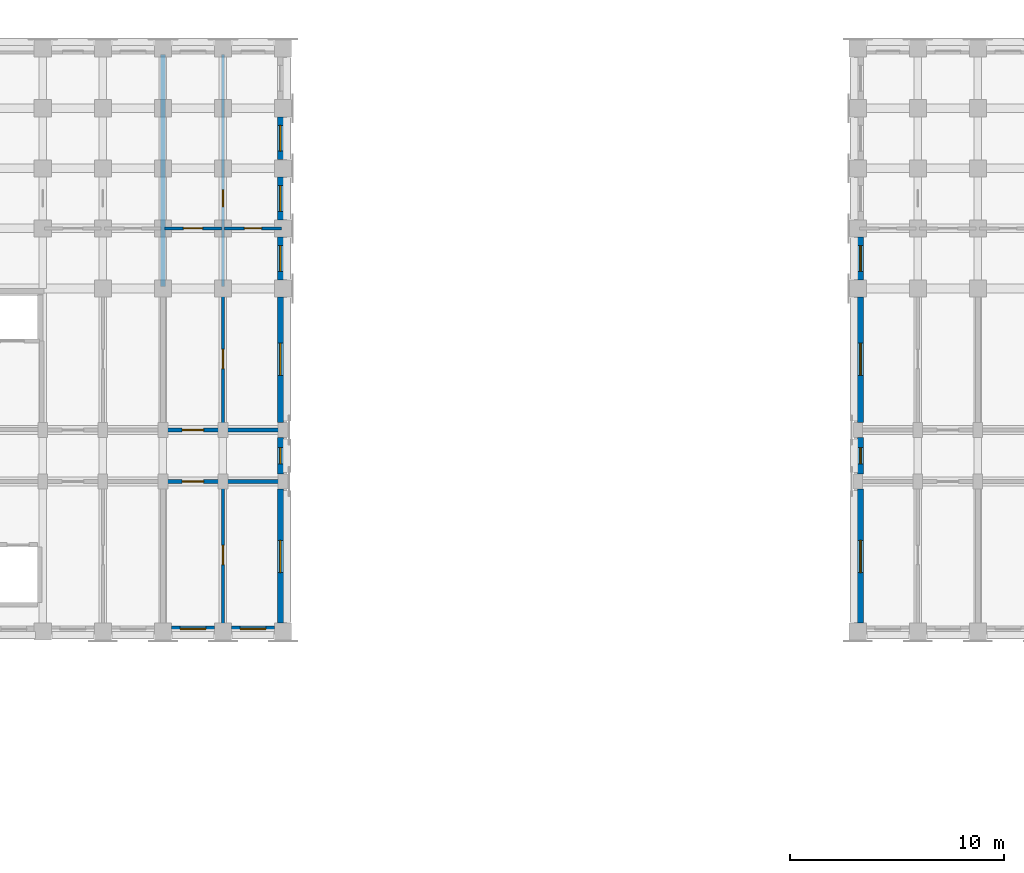
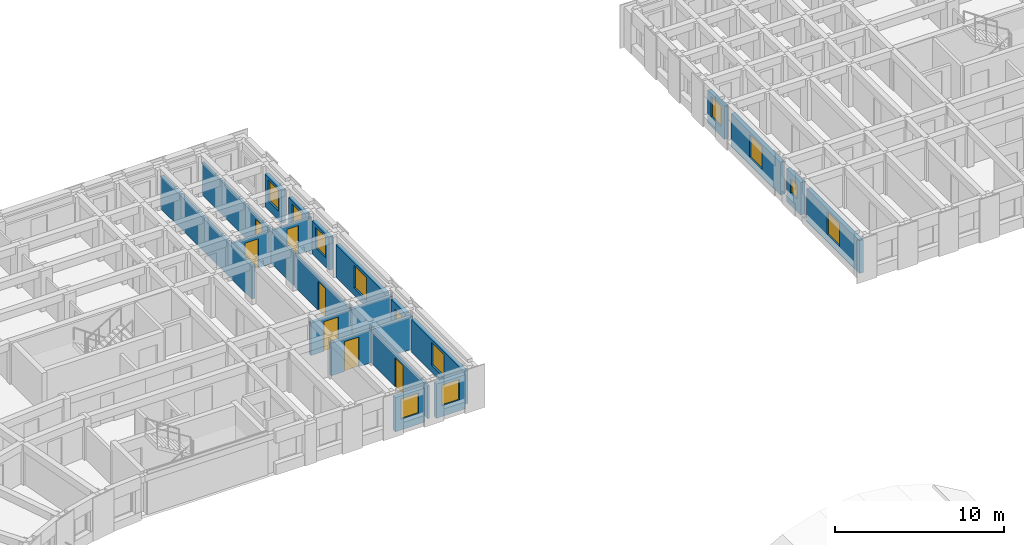
# One storey, part 27 of 54: 22 walls, 12 windows, 7 doors, 19 openings.
"""IFC4 building model written with IfcOpenShell, lengths in metres."""

from ifc_helpers import new_model, si_unit, direction, frame, frame_2d, origin, place, context, subcontext, project, spatial, rectangle, extrude, material, layer, layer_set, type_object, element, fill, save


model = new_model("IFC4")

# Units and contexts
model_context = context("Model", 3, precision=1e-05, world=origin(), true_north=direction((0.0, 1.0)))
body_context = subcontext(model_context, "Body", "Model", "MODEL_VIEW")
ifc_project = project(units=[si_unit("LENGTHUNIT", "METRE"), si_unit("AREAUNIT", "SQUARE_METRE"), si_unit("VOLUMEUNIT", "CUBIC_METRE"), si_unit("PLANEANGLEUNIT", "RADIAN"), si_unit("MASSUNIT", "GRAM", prefix="KILO")], contexts=[model_context])

# Site, building, storey
site_placement = place(None, origin())
site = spatial("IfcSite", under=ifc_project, at=site_placement, CompositionType="ELEMENT")
building_placement = place(site_placement, origin())
building = spatial("IfcBuilding", under=site, at=building_placement, Name="Kiranvali Square Residences", CompositionType="ELEMENT")
storey_placement = place(building_placement, frame((0.0, 0.0, 15.0)))
storey = spatial("IfcBuildingStorey", under=building, at=storey_placement, Name="L04", CompositionType="ELEMENT", Elevation=15.0)

# Wall, opening, door
ifc_material_1 = material(Name="Autoclaved aerated concrete blockwork masonry", Category="masonry")
ifc_layer_1 = layer(ifc_material_1, 0.199951171875)
ifc_layer_set_1 = layer_set([ifc_layer_1], Name="Autoclaved aerated concrete blockwork masonry")
wall_type_1 = type_object("IfcWallType", Name="WL-COR-200", PredefinedType="STANDARD", material=ifc_layer_set_1)
wall_1_placement = place(storey_placement, frame((65.0, 113.60009765625, 0.0), z_axis=(0.0, 0.0, 1.0), x_axis=(1.0, 0.0, 0.0)))
wall_1 = element("IfcWall", 1, at=wall_1_placement, inside=storey, type_object=wall_type_1, Name="L04 architectural wall WL-L04-A-A1CI-2", PredefinedType="STANDARD", context=body_context, shape_type="SweptSolid", body=[
    extrude(rectangle(XDim=2.800048828125, YDim=0.199951171875, at=frame_2d((1.39990234375, 0.0))), origin(), (0.0, 0.0, 1.0), 2.3720703125),
])
opening_1_placement = place(wall_1_placement, frame((0.89990234375, 0.0, 0.0)))
opening_1 = element("IfcOpeningElement", 2, at=opening_1_placement, cuts=wall_1, Name="Opening FD-APT-60", PredefinedType="OPENING", context=body_context, shape_type="SweptSolid", body=[
    extrude(rectangle(XDim=1.0, YDim=2.14990234375, at=frame_2d((0.5, 1.074951171875))), frame((0.0, 0.10986328125, 0.0), z_axis=(0.0, -1.0, 0.0), x_axis=(1.0, 0.0, 0.0)), (0.0, 0.0, 1.0), 0.219970703125),
])
ifc_material_2 = material(Name="Fire-rated acoustic hardwood and mineral-core door assembly", Category="wood")
door_type_1 = type_object("IfcDoorType", Name="DR-APT-1000", OperationType="NOTDEFINED", PredefinedType="DOOR", material=ifc_material_2)
door_1_placement = place(opening_1_placement, origin())
door_1 = element("IfcDoor", 3, at=door_1_placement, inside=storey, type_object=door_type_1, Name="L04 door DR-L04-0291 (DR-APT-1000)", OperationType="SINGLE_SWING_LEFT", OverallHeight=2.14990234375, OverallWidth=1.0, PredefinedType="DOOR", context=body_context, shape_type="SweptSolid", body=[
    extrude(rectangle(XDim=1.0, YDim=2.14990234375, at=frame_2d((0.5, 1.074951171875))), frame((0.0, 0.02490234375, 0.0), z_axis=(0.0, -1.0, 0.0), x_axis=(1.0, 0.0, 0.0)), (0.0, 0.0, 1.0), 0.050048828125),
])
fill(opening_1, door_1)

wall_2_placement = place(storey_placement, frame((65.0, 116.0, 0.0), z_axis=(0.0, 0.0, 1.0), x_axis=(1.0, 0.0, 0.0)))
wall_2 = element("IfcWall", 4, at=wall_2_placement, inside=storey, type_object=wall_type_1, Name="L04 architectural wall WL-L04-A-A1CO-2", PredefinedType="STANDARD", context=body_context, shape_type="SweptSolid", body=[
    extrude(rectangle(XDim=2.800048828125, YDim=0.199951171875, at=frame_2d((1.39990234375, 0.0))), origin(), (0.0, 0.0, 1.0), 2.3720703125),
])
opening_2_placement = place(wall_2_placement, frame((0.89990234375, 0.0, 0.0)))
opening_2 = element("IfcOpeningElement", 5, at=opening_2_placement, cuts=wall_2, Name="Opening FD-APT-60", PredefinedType="OPENING", context=body_context, shape_type="SweptSolid", body=[
    extrude(rectangle(XDim=1.0, YDim=2.14990234375, at=frame_2d((0.5, 1.074951171875))), frame((0.0, 0.10986328125, 0.0), z_axis=(0.0, -1.0, 0.0), x_axis=(1.0, 0.0, 0.0)), (0.0, 0.0, 1.0), 0.219970703125),
])
door_2_placement = place(opening_2_placement, origin())
door_2 = element("IfcDoor", 6, at=door_2_placement, inside=storey, type_object=door_type_1, Name="L04 door DR-L04-0293 (DR-APT-1000)", OperationType="SINGLE_SWING_LEFT", OverallHeight=2.14990234375, OverallWidth=1.0, PredefinedType="DOOR", context=body_context, shape_type="SweptSolid", body=[
    extrude(rectangle(XDim=1.0, YDim=2.14990234375, at=frame_2d((0.5, 1.074951171875))), frame((0.0, 0.02490234375, 0.0), z_axis=(0.0, -1.0, 0.0), x_axis=(1.0, 0.0, 0.0)), (0.0, 0.0, 1.0), 0.050048828125),
])
fill(opening_2, door_2)

# Walls
for number, where, z_axis, x_axis, name in (
    (7, (67.800048828125, 113.60009765625, 0.0), (0.0, 0.0, 1.0), (1.0, 0.0, 0.0), "L04 architectural wall WL-L04-A-A1CI-3"),
    (8, (67.800048828125, 116.0, 0.0), (0.0, 0.0, 1.0), (1.0, 0.0, 0.0), "L04 architectural wall WL-L04-A-A1CO-3"),
):
    element("IfcWall", number, at=place(storey_placement, frame(where, z_axis=z_axis, x_axis=x_axis)), inside=storey, type_object=wall_type_1, Name=name, PredefinedType="STANDARD", context=body_context, shape_type="SweptSolid", body=[
        extrude(rectangle(XDim=2.800048828125, YDim=0.199951171875, at=frame_2d((1.39990234375, 0.0))), origin(), (0.0, 0.0, 1.0), 2.3720703125),
    ])
ifc_layer_2 = layer(ifc_material_1, 0.219970703125)
ifc_layer_set_2 = layer_set([ifc_layer_2], Name="Autoclaved aerated concrete blockwork masonry")
wall_type_2 = type_object("IfcWallType", Name="WL-DEM-220", PredefinedType="STANDARD", material=ifc_layer_set_2)
wall_3_placement = place(storey_placement, frame((65.0, 122.699951171875, 0.0), z_axis=(0.0, 0.0, 1.0), x_axis=(0.0, 1.0, 0.0)))
element("IfcWall", 9, at=wall_3_placement, inside=storey, type_object=wall_type_2, Name="L04 architectural wall WL-L04-A-A1TO2-2", PredefinedType="STANDARD", context=body_context, shape_type="SweptSolid", body=[
    extrude(rectangle(XDim=10.820068359375, YDim=0.219970703125, at=frame_2d((5.41015625, 0.0))), origin(), (0.0, 0.0, 1.0), 2.3720703125),
])

# Wall, opening, window
ifc_material_3 = material(Name="Breathable lime-rendered clay brick masonry", Category="masonry")
ifc_layer_3 = layer(ifc_material_3, 0.27490234375)
ifc_layer_set_3 = layer_set([ifc_layer_3], Name="Breathable lime-rendered clay brick masonry")
wall_type_3 = type_object("IfcWallType", Name="WL-EXT-275", PredefinedType="STANDARD", material=ifc_layer_set_3)
wall_4_placement = place(storey_placement, frame((65.403564453125, 106.72509765625, 0.0), z_axis=(0.0, 0.0, 1.0), x_axis=(1.0, 0.0, 0.0)))
wall_4 = element("IfcWall", 10, at=wall_4_placement, inside=storey, type_object=wall_type_3, Name="L04 exterior wall A-L04-A1I-2", PredefinedType="STANDARD", context=body_context, shape_type="SweptSolid", body=[
    extrude(rectangle(XDim=1.992919921875, YDim=0.27490234375, at=frame_2d((0.99658203125, 0.0))), origin(), (0.0, 0.0, 1.0), 2.471923828125),
])
opening_3_placement = place(wall_4_placement, frame((0.396484375, 0.0, 0.77197265625)))
opening_3 = element("IfcOpeningElement", 11, at=opening_3_placement, cuts=wall_4, Name="Opening W-06", PredefinedType="OPENING", context=body_context, shape_type="SweptSolid", body=[
    extrude(rectangle(XDim=1.199951171875, YDim=1.5, at=frame_2d((0.60009765625, 0.75))), frame((0.0, 0.1474609375, 0.0), z_axis=(0.0, -1.0, 0.0), x_axis=(1.0, 0.0, 0.0)), (0.0, 0.0, 1.0), 0.294921875),
])
ifc_material_4 = material(Name="Solar-control low-e double glazing", Category="glass")
window_type_1 = type_object("IfcWindowType", Name="WIN-RES-1200x1500", PartitioningType="SINGLE_PANEL", PredefinedType="WINDOW", material=ifc_material_4)
window_1_placement = place(opening_3_placement, origin())
window_1 = element("IfcWindow", 12, at=window_1_placement, inside=storey, type_object=window_type_1, Name="L04 recessed window A-L04-A1I-2", OverallHeight=1.5, OverallWidth=1.199951171875, PartitioningType="SINGLE_PANEL", PredefinedType="WINDOW", context=body_context, shape_type="SweptSolid", body=[
    extrude(rectangle(XDim=1.199951171875, YDim=1.5, at=frame_2d((0.60009765625, 0.75))), frame((0.0, 0.030029296875, 0.0), z_axis=(0.0, -1.0, 0.0), x_axis=(1.0, 0.0, 0.0)), (0.0, 0.0, 1.0), 0.06005859375),
])
fill(opening_3, window_1)

wall_5_placement = place(storey_placement, frame((68.20361328125, 106.72509765625, 0.0), z_axis=(0.0, 0.0, 1.0), x_axis=(1.0, 0.0, 0.0)))
wall_5 = element("IfcWall", 13, at=wall_5_placement, inside=storey, type_object=wall_type_3, Name="L04 exterior wall A-L04-A1I-3", PredefinedType="STANDARD", context=body_context, shape_type="SweptSolid", body=[
    extrude(rectangle(XDim=1.992919921875, YDim=0.27490234375, at=frame_2d((0.99658203125, 0.0))), origin(), (0.0, 0.0, 1.0), 2.471923828125),
])
opening_4_placement = place(wall_5_placement, frame((0.396484375, 0.0, 0.77197265625)))
opening_4 = element("IfcOpeningElement", 14, at=opening_4_placement, cuts=wall_5, Name="Opening W-06", PredefinedType="OPENING", context=body_context, shape_type="SweptSolid", body=[
    extrude(rectangle(XDim=1.199951171875, YDim=1.5, at=frame_2d((0.60009765625, 0.75))), frame((0.0, 0.1474609375, 0.0), z_axis=(0.0, -1.0, 0.0), x_axis=(1.0, 0.0, 0.0)), (0.0, 0.0, 1.0), 0.294921875),
])
window_2_placement = place(opening_4_placement, origin())
window_2 = element("IfcWindow", 15, at=window_2_placement, inside=storey, type_object=window_type_1, Name="L04 recessed window A-L04-A1I-3", OverallHeight=1.5, OverallWidth=1.199951171875, PartitioningType="SINGLE_PANEL", PredefinedType="WINDOW", context=body_context, shape_type="SweptSolid", body=[
    extrude(rectangle(XDim=1.199951171875, YDim=1.5, at=frame_2d((0.60009765625, 0.75))), frame((0.0, 0.030029296875, 0.0), z_axis=(0.0, -1.0, 0.0), x_axis=(1.0, 0.0, 0.0)), (0.0, 0.0, 1.0), 0.06005859375),
])
fill(opening_4, window_2)

wall_6_placement = place(storey_placement, frame((70.47509765625, 107.00341796875, 0.0), z_axis=(0.0, 0.0, 1.0), x_axis=(0.0, 1.0, 0.0)))
wall_6 = element("IfcWall", 16, at=wall_6_placement, inside=storey, type_object=wall_type_3, Name="L04 exterior wall A-L04-A1END-0", PredefinedType="STANDARD", context=body_context, shape_type="SweptSolid", body=[
    extrude(rectangle(XDim=6.2431640625, YDim=0.27490234375, at=frame_2d((3.12158203125, 0.0))), origin(), (0.0, 0.0, 1.0), 2.3720703125),
])
opening_5_placement = place(wall_6_placement, frame((2.346435546875, 0.0, 0.52197265625)))
opening_5 = element("IfcOpeningElement", 17, at=opening_5_placement, cuts=wall_6, Name="Opening W-05", PredefinedType="OPENING", context=body_context, shape_type="SweptSolid", body=[
    extrude(rectangle(XDim=1.5, YDim=1.64990234375, at=frame_2d((0.75, 0.824951171875))), frame((0.0, 0.1474609375, 0.0), z_axis=(0.0, -1.0, 0.0), x_axis=(1.0, 0.0, 0.0)), (0.0, 0.0, 1.0), 0.294921875),
])
window_type_2 = type_object("IfcWindowType", Name="WIN-RES-1500x1650", PartitioningType="DOUBLE_PANEL_VERTICAL", PredefinedType="WINDOW", material=ifc_material_4)
window_3_placement = place(opening_5_placement, origin())
window_3 = element("IfcWindow", 18, at=window_3_placement, inside=storey, type_object=window_type_2, Name="L04 recessed window A-L04-A1END-0", OverallHeight=1.64990234375, OverallWidth=1.5, PartitioningType="DOUBLE_PANEL_VERTICAL", PredefinedType="WINDOW", context=body_context, shape_type="SweptSolid", body=[
    extrude(rectangle(XDim=1.5, YDim=1.64990234375, at=frame_2d((0.75, 0.824951171875))), frame((0.0, 0.030029296875, 0.0), z_axis=(0.0, -1.0, 0.0), x_axis=(1.0, 0.0, 0.0)), (0.0, 0.0, 1.0), 0.06005859375),
])
fill(opening_5, window_3)

wall_7_placement = place(storey_placement, frame((70.47509765625, 113.95361328125, 0.0), z_axis=(0.0, 0.0, 1.0), x_axis=(0.0, 1.0, 0.0)))
wall_7 = element("IfcWall", 19, at=wall_7_placement, inside=storey, type_object=wall_type_3, Name="L04 exterior wall A-L04-A1END-1", PredefinedType="STANDARD", context=body_context, shape_type="SweptSolid", body=[
    extrude(rectangle(XDim=1.69287109375, YDim=0.27490234375, at=frame_2d((0.846435546875, 0.0))), origin(), (0.0, 0.0, 1.0), 2.3720703125),
])
opening_6_placement = place(wall_7_placement, frame((0.471435546875, 0.0, 0.8798828125)))
opening_6 = element("IfcOpeningElement", 20, at=opening_6_placement, cuts=wall_7, Name="Opening W-07", PredefinedType="OPENING", context=body_context, shape_type="SweptSolid", body=[
    extrude(rectangle(XDim=0.75, YDim=1.050048828125, at=frame_2d((0.375, 0.52490234375))), frame((0.0, 0.1474609375, 0.0), z_axis=(0.0, -1.0, 0.0), x_axis=(1.0, 0.0, 0.0)), (0.0, 0.0, 1.0), 0.294921875),
])
window_type_3 = type_object("IfcWindowType", Name="WIN-WET-750x1050", PartitioningType="SINGLE_PANEL", PredefinedType="WINDOW", material=ifc_material_4)
window_4_placement = place(opening_6_placement, origin())
window_4 = element("IfcWindow", 21, at=window_4_placement, inside=storey, type_object=window_type_3, Name="L04 recessed window A-L04-A1END-1", OverallHeight=1.050048828125, OverallWidth=0.75, PartitioningType="SINGLE_PANEL", PredefinedType="WINDOW", context=body_context, shape_type="SweptSolid", body=[
    extrude(rectangle(XDim=0.75, YDim=1.050048828125, at=frame_2d((0.375, 0.52490234375))), frame((0.0, 0.030029296875, 0.0), z_axis=(0.0, -1.0, 0.0), x_axis=(1.0, 0.0, 0.0)), (0.0, 0.0, 1.0), 0.06005859375),
])
fill(opening_6, window_4)

wall_8_placement = place(storey_placement, frame((70.47509765625, 116.353515625, 0.0), z_axis=(0.0, 0.0, 1.0), x_axis=(0.0, 1.0, 0.0)))
wall_8 = element("IfcWall", 22, at=wall_8_placement, inside=storey, type_object=wall_type_3, Name="L04 exterior wall A-L04-A1END-2", PredefinedType="STANDARD", context=body_context, shape_type="SweptSolid", body=[
    extrude(rectangle(XDim=5.843017578125, YDim=0.27490234375, at=frame_2d((2.92138671875, 0.0))), origin(), (0.0, 0.0, 1.0), 2.3720703125),
])
opening_7_placement = place(wall_8_placement, frame((2.196533203125, 0.0, 0.52197265625)))
opening_7 = element("IfcOpeningElement", 23, at=opening_7_placement, cuts=wall_8, Name="Opening W-05", PredefinedType="OPENING", context=body_context, shape_type="SweptSolid", body=[
    extrude(rectangle(XDim=1.5, YDim=1.64990234375, at=frame_2d((0.75, 0.824951171875))), frame((0.0, 0.1474609375, 0.0), z_axis=(0.0, -1.0, 0.0), x_axis=(1.0, 0.0, 0.0)), (0.0, 0.0, 1.0), 0.294921875),
])
window_5_placement = place(opening_7_placement, origin())
window_5 = element("IfcWindow", 24, at=window_5_placement, inside=storey, type_object=window_type_2, Name="L04 recessed window A-L04-A1END-2", OverallHeight=1.64990234375, OverallWidth=1.5, PartitioningType="DOUBLE_PANEL_VERTICAL", PredefinedType="WINDOW", context=body_context, shape_type="SweptSolid", body=[
    extrude(rectangle(XDim=1.5, YDim=1.64990234375, at=frame_2d((0.75, 0.824951171875))), frame((0.0, 0.030029296875, 0.0), z_axis=(0.0, -1.0, 0.0), x_axis=(1.0, 0.0, 0.0)), (0.0, 0.0, 1.0), 0.06005859375),
])
fill(opening_7, window_5)

wall_9_placement = place(storey_placement, frame((70.47509765625, 123.00341796875, 0.0), z_axis=(0.0, 0.0, 1.0), x_axis=(0.0, 1.0, 0.0)))
wall_9 = element("IfcWall", 25, at=wall_9_placement, inside=storey, type_object=wall_type_3, Name="L04 exterior wall A-L04-A1END-3", PredefinedType="STANDARD", context=body_context, shape_type="SweptSolid", body=[
    extrude(rectangle(XDim=1.9931640625, YDim=0.27490234375, at=frame_2d((0.99658203125, 0.0))), origin(), (0.0, 0.0, 1.0), 2.3720703125),
])
opening_8_placement = place(wall_9_placement, frame((0.396484375, 0.0, 0.672119140625)))
opening_8 = element("IfcOpeningElement", 26, at=opening_8_placement, cuts=wall_9, Name="Opening W-06", PredefinedType="OPENING", context=body_context, shape_type="SweptSolid", body=[
    extrude(rectangle(XDim=1.199951171875, YDim=1.5, at=frame_2d((0.60009765625, 0.75))), frame((0.0, 0.1474609375, 0.0), z_axis=(0.0, -1.0, 0.0), x_axis=(1.0, 0.0, 0.0)), (0.0, 0.0, 1.0), 0.294921875),
])
window_6_placement = place(opening_8_placement, origin())
window_6 = element("IfcWindow", 27, at=window_6_placement, inside=storey, type_object=window_type_1, Name="L04 recessed window A-L04-A1END-3", OverallHeight=1.5, OverallWidth=1.199951171875, PartitioningType="SINGLE_PANEL", PredefinedType="WINDOW", context=body_context, shape_type="SweptSolid", body=[
    extrude(rectangle(XDim=1.199951171875, YDim=1.5, at=frame_2d((0.60009765625, 0.75))), frame((0.0, 0.030029296875, 0.0), z_axis=(0.0, -1.0, 0.0), x_axis=(1.0, 0.0, 0.0)), (0.0, 0.0, 1.0), 0.06005859375),
])
fill(opening_8, window_6)

wall_10_placement = place(storey_placement, frame((70.47509765625, 125.803466796875, 0.0), z_axis=(0.0, 0.0, 1.0), x_axis=(0.0, 1.0, 0.0)))
wall_10 = element("IfcWall", 28, at=wall_10_placement, inside=storey, type_object=wall_type_3, Name="L04 exterior wall A-L04-A1END-4", PredefinedType="STANDARD", context=body_context, shape_type="SweptSolid", body=[
    extrude(rectangle(XDim=1.992919921875, YDim=0.27490234375, at=frame_2d((0.99658203125, 0.0))), origin(), (0.0, 0.0, 1.0), 2.3720703125),
])
opening_9_placement = place(wall_10_placement, frame((0.396484375, 0.0, 0.672119140625)))
opening_9 = element("IfcOpeningElement", 29, at=opening_9_placement, cuts=wall_10, Name="Opening W-06", PredefinedType="OPENING", context=body_context, shape_type="SweptSolid", body=[
    extrude(rectangle(XDim=1.199951171875, YDim=1.5, at=frame_2d((0.60009765625, 0.75))), frame((0.0, 0.1474609375, 0.0), z_axis=(0.0, -1.0, 0.0), x_axis=(1.0, 0.0, 0.0)), (0.0, 0.0, 1.0), 0.294921875),
])
window_7_placement = place(opening_9_placement, origin())
window_7 = element("IfcWindow", 30, at=window_7_placement, inside=storey, type_object=window_type_1, Name="L04 recessed window A-L04-A1END-4", OverallHeight=1.5, OverallWidth=1.199951171875, PartitioningType="SINGLE_PANEL", PredefinedType="WINDOW", context=body_context, shape_type="SweptSolid", body=[
    extrude(rectangle(XDim=1.199951171875, YDim=1.5, at=frame_2d((0.60009765625, 0.75))), frame((0.0, 0.030029296875, 0.0), z_axis=(0.0, -1.0, 0.0), x_axis=(1.0, 0.0, 0.0)), (0.0, 0.0, 1.0), 0.06005859375),
])
fill(opening_9, window_7)

wall_11_placement = place(storey_placement, frame((70.47509765625, 128.603515625, 0.0), z_axis=(0.0, 0.0, 1.0), x_axis=(0.0, 1.0, 0.0)))
wall_11 = element("IfcWall", 31, at=wall_11_placement, inside=storey, type_object=wall_type_3, Name="L04 exterior wall A-L04-A1END-5", PredefinedType="STANDARD", context=body_context, shape_type="SweptSolid", body=[
    extrude(rectangle(XDim=1.992919921875, YDim=0.27490234375, at=frame_2d((0.99658203125, 0.0))), origin(), (0.0, 0.0, 1.0), 2.3720703125),
])
opening_10_placement = place(wall_11_placement, frame((0.396484375, 0.0, 0.672119140625)))
opening_10 = element("IfcOpeningElement", 32, at=opening_10_placement, cuts=wall_11, Name="Opening W-06", PredefinedType="OPENING", context=body_context, shape_type="SweptSolid", body=[
    extrude(rectangle(XDim=1.199951171875, YDim=1.5, at=frame_2d((0.60009765625, 0.75))), frame((0.0, 0.1474609375, 0.0), z_axis=(0.0, -1.0, 0.0), x_axis=(1.0, 0.0, 0.0)), (0.0, 0.0, 1.0), 0.294921875),
])
window_8_placement = place(opening_10_placement, origin())
window_8 = element("IfcWindow", 33, at=window_8_placement, inside=storey, type_object=window_type_1, Name="L04 recessed window A-L04-A1END-5", OverallHeight=1.5, OverallWidth=1.199951171875, PartitioningType="SINGLE_PANEL", PredefinedType="WINDOW", context=body_context, shape_type="SweptSolid", body=[
    extrude(rectangle(XDim=1.199951171875, YDim=1.5, at=frame_2d((0.60009765625, 0.75))), frame((0.0, 0.030029296875, 0.0), z_axis=(0.0, -1.0, 0.0), x_axis=(1.0, 0.0, 0.0)), (0.0, 0.0, 1.0), 0.06005859375),
])
fill(opening_10, window_8)

wall_12_placement = place(storey_placement, frame((97.52490234375, 107.00341796875, 0.0), z_axis=(0.0, 0.0, 1.0), x_axis=(0.0, 1.0, 0.0)))
wall_12 = element("IfcWall", 34, at=wall_12_placement, inside=storey, type_object=wall_type_3, Name="L04 exterior wall B-L04-A1END-0", PredefinedType="STANDARD", context=body_context, shape_type="SweptSolid", body=[
    extrude(rectangle(XDim=6.2431640625, YDim=0.27490234375, at=frame_2d((3.12158203125, 0.0))), origin(), (0.0, 0.0, 1.0), 2.3720703125),
])
opening_11_placement = place(wall_12_placement, frame((2.346435546875, 0.0, 0.52197265625)))
opening_11 = element("IfcOpeningElement", 35, at=opening_11_placement, cuts=wall_12, Name="Opening W-05", PredefinedType="OPENING", context=body_context, shape_type="SweptSolid", body=[
    extrude(rectangle(XDim=1.5, YDim=1.64990234375, at=frame_2d((0.75, 0.824951171875))), frame((0.0, 0.1474609375, 0.0), z_axis=(0.0, -1.0, 0.0), x_axis=(1.0, 0.0, 0.0)), (0.0, 0.0, 1.0), 0.294921875),
])
window_9_placement = place(opening_11_placement, origin())
window_9 = element("IfcWindow", 36, at=window_9_placement, inside=storey, type_object=window_type_2, Name="L04 recessed window B-L04-A1END-0", OverallHeight=1.64990234375, OverallWidth=1.5, PartitioningType="DOUBLE_PANEL_VERTICAL", PredefinedType="WINDOW", context=body_context, shape_type="SweptSolid", body=[
    extrude(rectangle(XDim=1.5, YDim=1.64990234375, at=frame_2d((0.75, 0.824951171875))), frame((0.0, 0.030029296875, 0.0), z_axis=(0.0, -1.0, 0.0), x_axis=(1.0, 0.0, 0.0)), (0.0, 0.0, 1.0), 0.06005859375),
])
fill(opening_11, window_9)

wall_13_placement = place(storey_placement, frame((97.52490234375, 113.95361328125, 0.0), z_axis=(0.0, 0.0, 1.0), x_axis=(0.0, 1.0, 0.0)))
wall_13 = element("IfcWall", 37, at=wall_13_placement, inside=storey, type_object=wall_type_3, Name="L04 exterior wall B-L04-A1END-1", PredefinedType="STANDARD", context=body_context, shape_type="SweptSolid", body=[
    extrude(rectangle(XDim=1.69287109375, YDim=0.27490234375, at=frame_2d((0.846435546875, 0.0))), origin(), (0.0, 0.0, 1.0), 2.3720703125),
])
opening_12_placement = place(wall_13_placement, frame((0.471435546875, 0.0, 0.8798828125)))
opening_12 = element("IfcOpeningElement", 38, at=opening_12_placement, cuts=wall_13, Name="Opening W-07", PredefinedType="OPENING", context=body_context, shape_type="SweptSolid", body=[
    extrude(rectangle(XDim=0.75, YDim=1.050048828125, at=frame_2d((0.375, 0.52490234375))), frame((0.0, 0.1474609375, 0.0), z_axis=(0.0, -1.0, 0.0), x_axis=(1.0, 0.0, 0.0)), (0.0, 0.0, 1.0), 0.294921875),
])
window_10_placement = place(opening_12_placement, origin())
window_10 = element("IfcWindow", 39, at=window_10_placement, inside=storey, type_object=window_type_3, Name="L04 recessed window B-L04-A1END-1", OverallHeight=1.050048828125, OverallWidth=0.75, PartitioningType="SINGLE_PANEL", PredefinedType="WINDOW", context=body_context, shape_type="SweptSolid", body=[
    extrude(rectangle(XDim=0.75, YDim=1.050048828125, at=frame_2d((0.375, 0.52490234375))), frame((0.0, 0.030029296875, 0.0), z_axis=(0.0, -1.0, 0.0), x_axis=(1.0, 0.0, 0.0)), (0.0, 0.0, 1.0), 0.06005859375),
])
fill(opening_12, window_10)

wall_14_placement = place(storey_placement, frame((97.52490234375, 116.353515625, 0.0), z_axis=(0.0, 0.0, 1.0), x_axis=(0.0, 1.0, 0.0)))
wall_14 = element("IfcWall", 40, at=wall_14_placement, inside=storey, type_object=wall_type_3, Name="L04 exterior wall B-L04-A1END-2", PredefinedType="STANDARD", context=body_context, shape_type="SweptSolid", body=[
    extrude(rectangle(XDim=5.843017578125, YDim=0.27490234375, at=frame_2d((2.92138671875, 0.0))), origin(), (0.0, 0.0, 1.0), 2.3720703125),
])
opening_13_placement = place(wall_14_placement, frame((2.196533203125, 0.0, 0.52197265625)))
opening_13 = element("IfcOpeningElement", 41, at=opening_13_placement, cuts=wall_14, Name="Opening W-05", PredefinedType="OPENING", context=body_context, shape_type="SweptSolid", body=[
    extrude(rectangle(XDim=1.5, YDim=1.64990234375, at=frame_2d((0.75, 0.824951171875))), frame((0.0, 0.1474609375, 0.0), z_axis=(0.0, -1.0, 0.0), x_axis=(1.0, 0.0, 0.0)), (0.0, 0.0, 1.0), 0.294921875),
])
window_11_placement = place(opening_13_placement, origin())
window_11 = element("IfcWindow", 42, at=window_11_placement, inside=storey, type_object=window_type_2, Name="L04 recessed window B-L04-A1END-2", OverallHeight=1.64990234375, OverallWidth=1.5, PartitioningType="DOUBLE_PANEL_VERTICAL", PredefinedType="WINDOW", context=body_context, shape_type="SweptSolid", body=[
    extrude(rectangle(XDim=1.5, YDim=1.64990234375, at=frame_2d((0.75, 0.824951171875))), frame((0.0, 0.030029296875, 0.0), z_axis=(0.0, -1.0, 0.0), x_axis=(1.0, 0.0, 0.0)), (0.0, 0.0, 1.0), 0.06005859375),
])
fill(opening_13, window_11)

wall_15_placement = place(storey_placement, frame((97.52490234375, 123.00341796875, 0.0), z_axis=(0.0, 0.0, 1.0), x_axis=(0.0, 1.0, 0.0)))
wall_15 = element("IfcWall", 43, at=wall_15_placement, inside=storey, type_object=wall_type_3, Name="L04 exterior wall B-L04-A1END-3", PredefinedType="STANDARD", context=body_context, shape_type="SweptSolid", body=[
    extrude(rectangle(XDim=1.9931640625, YDim=0.27490234375, at=frame_2d((0.99658203125, 0.0))), origin(), (0.0, 0.0, 1.0), 2.3720703125),
])
opening_14_placement = place(wall_15_placement, frame((0.396484375, 0.0, 0.672119140625)))
opening_14 = element("IfcOpeningElement", 44, at=opening_14_placement, cuts=wall_15, Name="Opening W-06", PredefinedType="OPENING", context=body_context, shape_type="SweptSolid", body=[
    extrude(rectangle(XDim=1.199951171875, YDim=1.5, at=frame_2d((0.60009765625, 0.75))), frame((0.0, 0.1474609375, 0.0), z_axis=(0.0, -1.0, 0.0), x_axis=(1.0, 0.0, 0.0)), (0.0, 0.0, 1.0), 0.294921875),
])
window_12_placement = place(opening_14_placement, origin())
window_12 = element("IfcWindow", 45, at=window_12_placement, inside=storey, type_object=window_type_1, Name="L04 recessed window B-L04-A1END-3", OverallHeight=1.5, OverallWidth=1.199951171875, PartitioningType="SINGLE_PANEL", PredefinedType="WINDOW", context=body_context, shape_type="SweptSolid", body=[
    extrude(rectangle(XDim=1.199951171875, YDim=1.5, at=frame_2d((0.60009765625, 0.75))), frame((0.0, 0.030029296875, 0.0), z_axis=(0.0, -1.0, 0.0), x_axis=(1.0, 0.0, 0.0)), (0.0, 0.0, 1.0), 0.06005859375),
])
fill(opening_14, window_12)

# Wall, opening, door
ifc_material_5 = material(Name="Acoustic gypsum board drylined partition", Category="gypsum")
ifc_layer_4 = layer(ifc_material_5, 0.14990234375)
ifc_layer_set_4 = layer_set([ifc_layer_4], Name="Acoustic gypsum board drylined partition")
wall_type_4 = type_object("IfcWallType", Name="WL-PRT-150", PredefinedType="PARTITIONING", material=ifc_layer_set_4)
wall_16_placement = place(storey_placement, frame((67.800048828125, 106.800048828125, 0.0), z_axis=(0.0, 0.0, 1.0), x_axis=(0.0, 1.0, 0.0)))
wall_16 = element("IfcWall", 46, at=wall_16_placement, inside=storey, type_object=wall_type_4, Name="L04 architectural wall WL-L04-A-A1TI-3", PredefinedType="PARTITIONING", context=body_context, shape_type="SweptSolid", body=[
    extrude(rectangle(XDim=6.75, YDim=0.14990234375, at=frame_2d((3.375, 0.0))), origin(), (0.0, 0.0, 1.0), 2.3720703125),
])
opening_15_placement = place(wall_16_placement, frame((2.925048828125, 0.0, 0.0)))
opening_15 = element("IfcOpeningElement", 47, at=opening_15_placement, cuts=wall_16, Name="Opening ID-1", PredefinedType="OPENING", context=body_context, shape_type="SweptSolid", body=[
    extrude(rectangle(XDim=0.89990234375, YDim=2.10009765625, at=frame_2d((0.449951171875, 1.050048828125))), frame((0.0, 0.0849609375, 0.0), z_axis=(0.0, -1.0, 0.0), x_axis=(1.0, 0.0, 0.0)), (0.0, 0.0, 1.0), 0.169921875),
])
ifc_material_6 = material(Name="Solid seasoned teak hardwood joinery", Category="wood")
door_type_2 = type_object("IfcDoorType", Name="DR-INT-900", OperationType="NOTDEFINED", PredefinedType="DOOR", material=ifc_material_6)
door_3_placement = place(opening_15_placement, origin())
door_3 = element("IfcDoor", 48, at=door_3_placement, inside=storey, type_object=door_type_2, Name="L04 door DR-L04-0299 (DR-INT-900)", OperationType="SINGLE_SWING_LEFT", OverallHeight=2.10009765625, OverallWidth=0.89990234375, PredefinedType="DOOR", context=body_context, shape_type="SweptSolid", body=[
    extrude(rectangle(XDim=0.89990234375, YDim=2.10009765625, at=frame_2d((0.449951171875, 1.050048828125))), frame((0.0, 0.02490234375, 0.0), z_axis=(0.0, -1.0, 0.0), x_axis=(1.0, 0.0, 0.0)), (0.0, 0.0, 1.0), 0.050048828125),
])
fill(opening_15, door_3)

wall_17_placement = place(storey_placement, frame((67.800048828125, 116.050048828125, 0.0), z_axis=(0.0, 0.0, 1.0), x_axis=(0.0, 1.0, 0.0)))
wall_17 = element("IfcWall", 49, at=wall_17_placement, inside=storey, type_object=wall_type_4, Name="L04 architectural wall WL-L04-A-A1TO1-3", PredefinedType="PARTITIONING", context=body_context, shape_type="SweptSolid", body=[
    extrude(rectangle(XDim=6.530029296875, YDim=0.14990234375, at=frame_2d((3.26513671875, 0.0))), origin(), (0.0, 0.0, 1.0), 2.3720703125),
])
opening_16_placement = place(wall_17_placement, frame((2.81494140625, 0.0, 0.0)))
opening_16 = element("IfcOpeningElement", 50, at=opening_16_placement, cuts=wall_17, Name="Opening ID-1", PredefinedType="OPENING", context=body_context, shape_type="SweptSolid", body=[
    extrude(rectangle(XDim=0.89990234375, YDim=2.10009765625, at=frame_2d((0.449951171875, 1.050048828125))), frame((0.0, 0.0849609375, 0.0), z_axis=(0.0, -1.0, 0.0), x_axis=(1.0, 0.0, 0.0)), (0.0, 0.0, 1.0), 0.169921875),
])
door_4_placement = place(opening_16_placement, frame((0.89990234375, 0.0, 0.0), z_axis=(0.0, 0.0, 1.0), x_axis=(-1.0, 0.0, 0.0)))
door_4 = element("IfcDoor", 51, at=door_4_placement, inside=storey, type_object=door_type_2, Name="L04 door DR-L04-0300 (DR-INT-900)", OperationType="SINGLE_SWING_RIGHT", OverallHeight=2.10009765625, OverallWidth=0.89990234375, PredefinedType="DOOR", context=body_context, shape_type="SweptSolid", body=[
    extrude(rectangle(XDim=0.89990234375, YDim=2.10009765625, at=frame_2d((0.449951171875, 1.050048828125))), frame((0.0, 0.02490234375, 0.0), z_axis=(0.0, -1.0, 0.0), x_axis=(1.0, 0.0, 0.0)), (0.0, 0.0, 1.0), 0.050048828125),
])
fill(opening_16, door_4)

wall_18_placement = place(storey_placement, frame((67.800048828125, 122.699951171875, 0.0), z_axis=(0.0, 0.0, 1.0), x_axis=(0.0, 1.0, 0.0)))
wall_18 = element("IfcWall", 52, at=wall_18_placement, inside=storey, type_object=wall_type_4, Name="L04 architectural wall WL-L04-A-A1TO2-3", PredefinedType="PARTITIONING", context=body_context, shape_type="SweptSolid", body=[
    extrude(rectangle(XDim=10.820068359375, YDim=0.14990234375, at=frame_2d((5.41015625, 0.0))), origin(), (0.0, 0.0, 1.0), 2.3720703125),
])
opening_17_placement = place(wall_18_placement, frame((3.69970703125, 0.0, 0.0)))
opening_17 = element("IfcOpeningElement", 53, at=opening_17_placement, cuts=wall_18, Name="Opening ID-WET", PredefinedType="OPENING", context=body_context, shape_type="SweptSolid", body=[
    extrude(rectangle(XDim=0.800048828125, YDim=2.10009765625, at=frame_2d((0.39990234375, 1.050048828125))), frame((0.0, 0.0849609375, 0.0), z_axis=(0.0, -1.0, 0.0), x_axis=(1.0, 0.0, 0.0)), (0.0, 0.0, 1.0), 0.169921875),
])
door_type_3 = type_object("IfcDoorType", Name="DR-WET-800", OperationType="NOTDEFINED", PredefinedType="DOOR", material=ifc_material_6)
door_5_placement = place(opening_17_placement, origin())
door_5 = element("IfcDoor", 54, at=door_5_placement, inside=storey, type_object=door_type_3, Name="L04 door DR-L04-0301 (DR-WET-800)", OperationType="SINGLE_SWING_LEFT", OverallHeight=2.10009765625, OverallWidth=0.800048828125, PredefinedType="DOOR", context=body_context, shape_type="SweptSolid", body=[
    extrude(rectangle(XDim=0.800048828125, YDim=2.10009765625, at=frame_2d((0.39990234375, 1.050048828125))), frame((0.0, 0.02490234375, 0.0), z_axis=(0.0, -1.0, 0.0), x_axis=(1.0, 0.0, 0.0)), (0.0, 0.0, 1.0), 0.050048828125),
])
fill(opening_17, door_5)

ifc_layer_5 = layer(ifc_material_1, 0.14990234375)
ifc_layer_set_5 = layer_set([ifc_layer_5], Name="Autoclaved aerated concrete blockwork masonry")
wall_type_5 = type_object("IfcWallType", Name="WL-WET-150", PredefinedType="PLUMBINGWALL", material=ifc_layer_set_5)
wall_19_placement = place(storey_placement, frame((65.080078125, 125.39990234375, 0.0), z_axis=(0.0, 0.0, 1.0), x_axis=(1.0, 0.0, 0.0)))
wall_19 = element("IfcWall", 55, at=wall_19_placement, inside=storey, type_object=wall_type_5, Name="L04 architectural wall WL-L04-A-A1SP-2", PredefinedType="PLUMBINGWALL", context=body_context, shape_type="SweptSolid", body=[
    extrude(rectangle(XDim=2.639892578125, YDim=0.14990234375, at=frame_2d((1.31982421875, 0.0))), origin(), (0.0, 0.0, 1.0), 2.3720703125),
])
opening_18_placement = place(wall_19_placement, frame((0.8701171875, 0.0, 0.0)))
opening_18 = element("IfcOpeningElement", 56, at=opening_18_placement, cuts=wall_19, Name="Opening ID-1", PredefinedType="OPENING", context=body_context, shape_type="SweptSolid", body=[
    extrude(rectangle(XDim=0.89990234375, YDim=2.10009765625, at=frame_2d((0.449951171875, 1.050048828125))), frame((0.0, 0.0849609375, 0.0), z_axis=(0.0, -1.0, 0.0), x_axis=(1.0, 0.0, 0.0)), (0.0, 0.0, 1.0), 0.169921875),
])
door_6_placement = place(opening_18_placement, frame((0.89990234375, 0.0, 0.0), z_axis=(0.0, 0.0, 1.0), x_axis=(-1.0, 0.0, 0.0)))
door_6 = element("IfcDoor", 57, at=door_6_placement, inside=storey, type_object=door_type_2, Name="L04 door DR-L04-0292 (DR-INT-900)", OperationType="SINGLE_SWING_RIGHT", OverallHeight=2.10009765625, OverallWidth=0.89990234375, PredefinedType="DOOR", context=body_context, shape_type="SweptSolid", body=[
    extrude(rectangle(XDim=0.89990234375, YDim=2.10009765625, at=frame_2d((0.449951171875, 1.050048828125))), frame((0.0, 0.02490234375, 0.0), z_axis=(0.0, -1.0, 0.0), x_axis=(1.0, 0.0, 0.0)), (0.0, 0.0, 1.0), 0.050048828125),
])
fill(opening_18, door_6)

wall_20_placement = place(storey_placement, frame((67.8798828125, 125.39990234375, 0.0), z_axis=(0.0, 0.0, 1.0), x_axis=(1.0, 0.0, 0.0)))
wall_20 = element("IfcWall", 58, at=wall_20_placement, inside=storey, type_object=wall_type_5, Name="L04 architectural wall WL-L04-A-A1SP-3", PredefinedType="PLUMBINGWALL", context=body_context, shape_type="SweptSolid", body=[
    extrude(rectangle(XDim=2.64013671875, YDim=0.14990234375, at=frame_2d((1.320068359375, 0.0))), origin(), (0.0, 0.0, 1.0), 2.3720703125),
])
opening_19_placement = place(wall_20_placement, frame((0.919921875, 0.0, 0.0)))
opening_19 = element("IfcOpeningElement", 59, at=opening_19_placement, cuts=wall_20, Name="Opening ID-WET", PredefinedType="OPENING", context=body_context, shape_type="SweptSolid", body=[
    extrude(rectangle(XDim=0.800048828125, YDim=2.10009765625, at=frame_2d((0.39990234375, 1.050048828125))), frame((0.0, 0.0849609375, 0.0), z_axis=(0.0, -1.0, 0.0), x_axis=(1.0, 0.0, 0.0)), (0.0, 0.0, 1.0), 0.169921875),
])
door_7_placement = place(opening_19_placement, frame((0.800048828125, 0.0, 0.0), z_axis=(0.0, 0.0, 1.0), x_axis=(-1.0, 0.0, 0.0)))
door_7 = element("IfcDoor", 60, at=door_7_placement, inside=storey, type_object=door_type_3, Name="L04 door DR-L04-0294 (DR-WET-800)", OperationType="SINGLE_SWING_RIGHT", OverallHeight=2.10009765625, OverallWidth=0.800048828125, PredefinedType="DOOR", context=body_context, shape_type="SweptSolid", body=[
    extrude(rectangle(XDim=0.800048828125, YDim=2.10009765625, at=frame_2d((0.39990234375, 1.050048828125))), frame((0.0, 0.02490234375, 0.0), z_axis=(0.0, -1.0, 0.0), x_axis=(1.0, 0.0, 0.0)), (0.0, 0.0, 1.0), 0.050048828125),
])
fill(opening_19, door_7)

save(model, "model.ifc")
